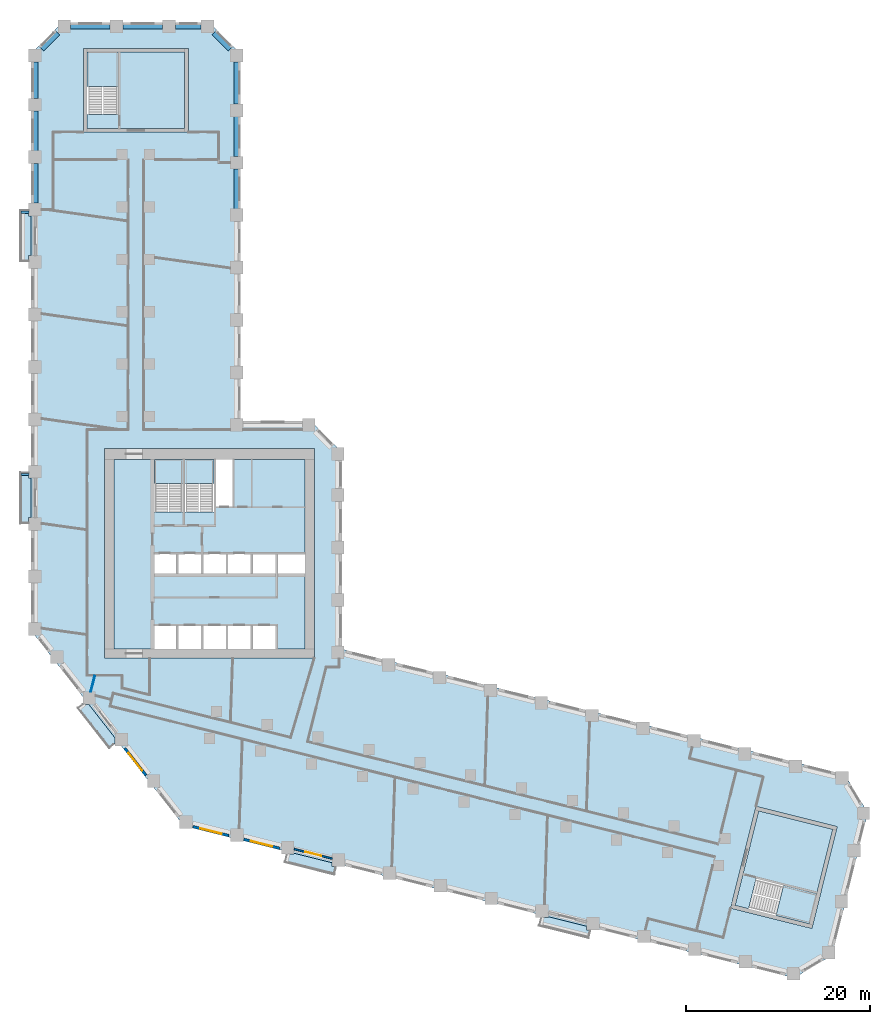
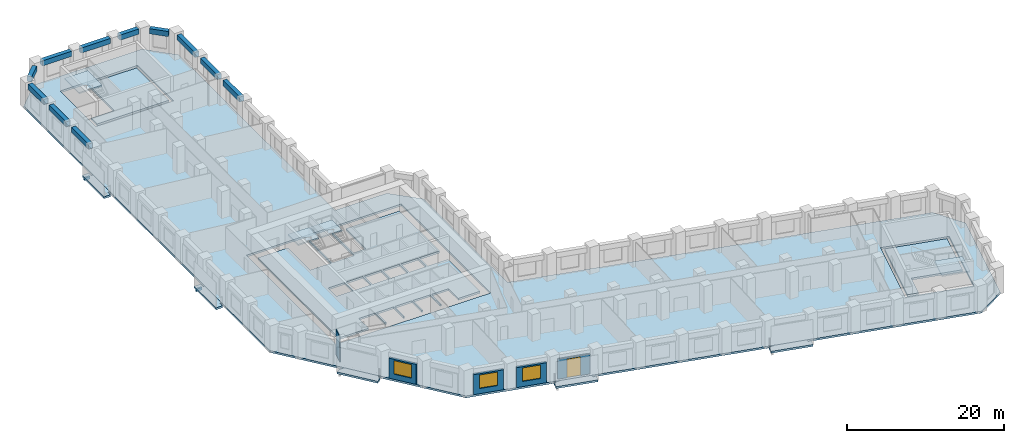
# One storey, part 2 of 11: 13 beams, 13 slabs, 5 walls, 3 windows, 1 door, 4 openings, 4 elements without a shape of their own.
"""IFC4 building model written with IfcOpenShell, lengths in metres."""

from ifc_helpers import new_model, si_unit, direction, frame, frame_2d, origin, origin_2d, place, context, subcontext, project, spatial, polyline, rectangle, outline, extrude, material, layer, layer_set, material_profile, profile_set, type_object, element, fill, aggregate, save


model = new_model("IFC4")

# Units and contexts
model_context = context("Model", 3, precision=1e-05, world=origin(), true_north=direction((0.0, 1.0)))
body_context = subcontext(model_context, "Body", "Model", "MODEL_VIEW")
ifc_project = project(units=[si_unit("LENGTHUNIT", "METRE"), si_unit("AREAUNIT", "SQUARE_METRE"), si_unit("VOLUMEUNIT", "CUBIC_METRE"), si_unit("PLANEANGLEUNIT", "RADIAN"), si_unit("MASSUNIT", "GRAM", prefix="KILO")], contexts=[model_context])

# Site, building, storey
site_placement = place(None, origin())
site = spatial("IfcSite", under=ifc_project, at=site_placement, CompositionType="ELEMENT")
building_placement = place(site_placement, origin())
building = spatial("IfcBuilding", under=site, at=building_placement, Name="Meshkara Civic Tower", CompositionType="ELEMENT")
storey_placement = place(building_placement, frame((0.0, 0.0, 75.0)))
storey = spatial("IfcBuildingStorey", under=building, at=storey_placement, Name="L16", CompositionType="ELEMENT", Elevation=75.0)

# Beams
ifc_material_1 = material(Name="Concrete C50", Category="concrete")
ifc_material_profile_1 = material_profile(ifc_material_1, rectangle(XDim=0.25, YDim=0.39990234375, at=origin_2d()))
ifc_profile_set_1 = profile_set([ifc_material_profile_1], Name="Concrete C50")
beam_type_1 = type_object("IfcBeamType", Name="Balcony bracket beam RC 250x400 C50", PredefinedType="BEAM", material=ifc_profile_set_1)
for number, where, z_axis, x_axis, name in (
    (1, (-0.2451171875, 62.554931640625, -0.5), (-1.0, 0.0, 0.0), (0.0, -1.0, 0.0), "Balcony bracket beam"),
    (2, (-0.2451171875, 34.054931640625, -0.5), (-1.0, 0.0, 0.0), (0.0, -1.0, 0.0), "Balcony bracket beam"),
):
    element("IfcBeam", number, at=place(storey_placement, frame(where, z_axis=z_axis, x_axis=x_axis)), inside=storey, type_object=beam_type_1, Name=name, PredefinedType="BEAM", context=body_context, shape_type="SweptSolid", body=[
        extrude(rectangle(XDim=0.25, YDim=0.39990234375, at=origin_2d()), origin(), (0.0, 0.0, 1.0), 0.85498046875),
    ])
ifc_material_2 = material(Name="Concrete C70", Category="concrete")
ifc_material_profile_2 = material_profile(ifc_material_2, rectangle(XDim=0.60009765625, YDim=0.800048828125, at=origin_2d()))
ifc_profile_set_2 = profile_set([ifc_material_profile_2], Name="Concrete C70")
beam_type_2 = type_object("IfcBeamType", Name="Spandrel beam RC 600x800 C70", PredefinedType="BEAM", material=ifc_profile_set_2)
beam_1_placement = place(storey_placement, frame((22.35009765625, 62.945068359375, 3.5), z_axis=(0.0, 1.0, 0.0), x_axis=(-1.0, 0.0, 0.0)))
element("IfcBeam", 3, at=beam_1_placement, inside=storey, type_object=beam_type_2, Name="Spandrel beam AE04-AE05", PredefinedType="BEAM", context=body_context, shape_type="SweptSolid", body=[
    extrude(rectangle(XDim=0.60009765625, YDim=0.800048828125, at=origin_2d()), origin(), (0.0, 0.0, 1.0), 4.309814453125),
])
beam_2_placement = place(storey_placement, frame((22.35009765625, 68.64501953125, 3.5), z_axis=(0.0, 1.0, 0.0), x_axis=(-1.0, 0.0, 0.0)))
element("IfcBeam", 4, at=beam_2_placement, inside=storey, type_object=beam_type_2, Name="Spandrel beam AE05-AE06", PredefinedType="BEAM", context=body_context, shape_type="SweptSolid", body=[
    extrude(rectangle(XDim=0.60009765625, YDim=0.800048828125, at=origin_2d()), origin(), (0.0, 0.0, 1.0), 4.31005859375),
])
beam_3_placement = place(storey_placement, frame((22.35009765625, 74.344970703125, 3.5), z_axis=(0.0, 1.0, 0.0), x_axis=(-1.0, 0.0, 0.0)))
element("IfcBeam", 5, at=beam_3_placement, inside=storey, type_object=beam_type_2, Name="Spandrel beam AE06-AEE", PredefinedType="BEAM", context=body_context, shape_type="SweptSolid", body=[
    extrude(rectangle(XDim=0.60009765625, YDim=0.800048828125, at=origin_2d()), origin(), (0.0, 0.0, 1.0), 4.573974609375),
])
beam_4_placement = place(storey_placement, frame((21.653564453125, 80.310546875, 3.5), z_axis=(-0.707155737934, 0.70705782105, 0.0), x_axis=(-0.70705782105, -0.707155737934, 0.0)))
element("IfcBeam", 6, at=beam_4_placement, inside=storey, type_object=beam_type_2, Name="Spandrel beam AEE-ATiE", PredefinedType="BEAM", context=body_context, shape_type="SweptSolid", body=[
    extrude(rectangle(XDim=0.60009765625, YDim=0.800048828125, at=origin_2d()), origin(), (0.0, 0.0, 1.0), 2.493408203125),
])
beam_5_placement = place(storey_placement, frame((18.4990234375, 82.77001953125, 3.5), z_axis=(-1.0, 0.0, 0.0), x_axis=(0.0, -1.0, 0.0)))
element("IfcBeam", 7, at=beam_5_placement, inside=storey, type_object=beam_type_2, Name="Spandrel beam AT02-ATiE", PredefinedType="BEAM", context=body_context, shape_type="SweptSolid", body=[
    extrude(rectangle(XDim=0.60009765625, YDim=0.800048828125, at=origin_2d()), origin(), (0.0, 0.0, 1.0), 2.798095703125),
])
for number, where, z_axis, x_axis, name in (
    (8, (14.31103515625, 82.77001953125, 3.5), (-1.0, 0.0, 0.0), (0.0, -1.0, 0.0), "Spandrel beam AT01-AT02"),
    (9, (8.611083984375, 82.77001953125, 3.5), (-1.0, 0.0, 0.0), (0.0, -1.0, 0.0), "Spandrel beam AT00-AT01"),
):
    element("IfcBeam", number, at=place(storey_placement, frame(where, z_axis=z_axis, x_axis=x_axis)), inside=storey, type_object=beam_type_2, Name=name, PredefinedType="BEAM", context=body_context, shape_type="SweptSolid", body=[
        extrude(rectangle(XDim=0.60009765625, YDim=0.800048828125, at=origin_2d()), origin(), (0.0, 0.0, 1.0), 4.31005859375),
    ])
beam_6_placement = place(storey_placement, frame((2.909423828125, 82.073486328125, 3.5), z_axis=(-0.707106781187, -0.707106781187, 0.0), x_axis=(0.707106781187, -0.707106781187, 0.0)))
element("IfcBeam", 10, at=beam_6_placement, inside=storey, type_object=beam_type_2, Name="Spandrel beam AT00-ATo00", PredefinedType="BEAM", context=body_context, shape_type="SweptSolid", body=[
    extrude(rectangle(XDim=0.60009765625, YDim=0.800048828125, at=origin_2d()), origin(), (0.0, 0.0, 1.0), 2.4931640625),
])
beam_7_placement = place(storey_placement, frame((0.449951171875, 78.9189453125, 3.5), z_axis=(0.0, -1.0, 0.0), x_axis=(1.0, 0.0, 0.0)))
element("IfcBeam", 11, at=beam_7_placement, inside=storey, type_object=beam_type_2, Name="Spandrel beam ATo00-AW10", PredefinedType="BEAM", context=body_context, shape_type="SweptSolid", body=[
    extrude(rectangle(XDim=0.60009765625, YDim=0.800048828125, at=origin_2d()), origin(), (0.0, 0.0, 1.0), 3.968994140625),
])
for number, where, z_axis, x_axis, name in (
    (12, (0.449951171875, 73.56005859375, 3.5), (0.0, -1.0, 0.0), (1.0, 0.0, 0.0), "Spandrel beam AW09-AW10"),
    (13, (0.449951171875, 67.860107421875, 3.5), (0.0, -1.0, 0.0), (1.0, 0.0, 0.0), "Spandrel beam AW08-AW09"),
):
    element("IfcBeam", number, at=place(storey_placement, frame(where, z_axis=z_axis, x_axis=x_axis)), inside=storey, type_object=beam_type_2, Name=name, PredefinedType="BEAM", context=body_context, shape_type="SweptSolid", body=[
        extrude(rectangle(XDim=0.60009765625, YDim=0.800048828125, at=origin_2d()), origin(), (0.0, 0.0, 1.0), 4.31005859375),
    ])

# Slabs
ifc_material_3 = material(Name="Concrete C40", Category="concrete")
ifc_layer_1 = layer(ifc_material_3, 0.300048828125)
ifc_layer_set_1 = layer_set([ifc_layer_1], Name="BALCONY SLAB")
slab_type_1 = type_object("IfcSlabType", Name="BALCONY SLAB", PredefinedType="FLOOR", material=ifc_layer_set_1)
slab_1_placement = place(storey_placement, frame((0.0, 0.0, -0.300048828125)))
element("IfcSlab", 14, at=slab_1_placement, inside=storey, type_object=slab_type_1, Name="Balcony slab", PredefinedType="FLOOR", context=body_context, shape_type="SweptSolid", body=[
    extrude(outline(polyline([(-1.199951171875, 57.215087890625), (-1.199951171875, 62.794921875), (-0.25, 62.794921875), (-0.25, 62.155029296875), (0.0, 62.155029296875), (0.0, 57.85498046875), (-0.25, 57.85498046875), (-0.25, 57.215087890625), (-1.199951171875, 57.215087890625)])), origin(), (0.0, 0.0, 1.0), 0.300048828125),
])
slab_2_placement = place(storey_placement, frame((0.0, 0.0, -0.300048828125)))
element("IfcSlab", 15, at=slab_2_placement, inside=storey, type_object=slab_type_1, Name="Balcony slab", PredefinedType="FLOOR", context=body_context, shape_type="SweptSolid", body=[
    extrude(outline(polyline([(-1.199951171875, 28.715087890625), (-1.199951171875, 34.294921875), (-0.25, 34.294921875), (-0.25, 33.655029296875), (0.0, 33.655029296875), (0.0, 29.35498046875), (-0.25, 29.35498046875), (-0.25, 28.715087890625), (-1.199951171875, 28.715087890625)])), origin(), (0.0, 0.0, 1.0), 0.300048828125),
])
slab_3_placement = place(storey_placement, frame((0.0, 0.0, -0.300048828125)))
element("IfcSlab", 16, at=slab_3_placement, inside=storey, type_object=slab_type_1, Name="Balcony slab", PredefinedType="FLOOR", context=body_context, shape_type="SweptSolid", body=[
    extrude(outline(polyline([(8.49609375, 4.27587890625), (5.06005859375, 8.674072265625), (5.623046875, 9.114013671875), (5.623046875, 9.037109375), (6.299072265625, 9.037109375), (9.133056640625, 5.409912109375), (9.133056640625, 4.77392578125), (8.49609375, 4.27587890625)])), origin(), (0.0, 0.0, 1.0), 0.300048828125),
])
slab_4_placement = place(storey_placement, frame((0.0, 0.0, -0.300048828125)))
element("IfcSlab", 17, at=slab_4_placement, inside=storey, type_object=slab_type_1, Name="Balcony slab", PredefinedType="FLOOR", context=body_context, shape_type="SweptSolid", body=[
    extrude(outline(polyline([(32.986083984375, -9.4609375), (27.571044921875, -8.111083984375), (27.799072265625, -7.196044921875), (28.612060546875, -7.196044921875), (28.612060546875, -7.134033203125), (32.742919921875, -8.1640625), (32.742919921875, -8.574951171875), (33.20703125, -8.574951171875), (32.986083984375, -9.4609375)])), origin(), (0.0, 0.0, 1.0), 0.300048828125),
])
slab_5_placement = place(storey_placement, frame((0.0, 0.0, -0.300048828125)))
element("IfcSlab", 18, at=slab_5_placement, inside=storey, type_object=slab_type_1, Name="Balcony slab", PredefinedType="FLOOR", context=body_context, shape_type="SweptSolid", body=[
    extrude(outline(polyline([(60.639892578125, -16.35595703125), (55.22509765625, -15.006103515625), (55.452880859375, -14.090087890625), (56.26611328125, -14.090087890625), (56.26611328125, -14.029052734375), (60.39697265625, -15.05908203125), (60.39697265625, -15.468994140625), (60.861083984375, -15.468994140625), (60.639892578125, -16.35595703125)])), origin(), (0.0, 0.0, 1.0), 0.300048828125),
])
ifc_material_4 = material(Name="Concrete C40/50", Category="concrete")
ifc_layer_2 = layer(ifc_material_4, 0.300048828125)
ifc_layer_set_2 = layer_set([ifc_layer_2], Name="Core floor slab 300 C40/50")
slab_type_2 = type_object("IfcSlabType", Name="Core floor slab 300 C40/50", PredefinedType="FLOOR", material=ifc_layer_set_2)
slab_6_placement = place(storey_placement, frame((0.0, 0.0, -0.300048828125)))
element("IfcSlab", 19, at=slab_6_placement, inside=storey, type_object=slab_type_2, Name="Core floor K", PredefinedType="FLOOR", context=body_context, shape_type="SweptSolid", body=[
    extrude(outline(polyline([(9.0, 35.699951171875), (13.39990234375, 35.699951171875), (13.39990234375, 30.00146484375), (16.5, 30.00146484375), (16.5, 35.699951171875), (16.699951171875, 35.699951171875), (16.699951171875, 30.00146484375), (19.89990234375, 30.00146484375), (19.89990234375, 35.699951171875), (20.10009765625, 35.699951171875), (20.10009765625, 30.574951171875), (21.925048828125, 30.574951171875), (21.925048828125, 35.699951171875), (29.800048828125, 35.699951171875), (29.800048828125, 25.39990234375), (26.800048828125, 25.39990234375), (26.800048828125, 23.300048828125), (29.800048828125, 23.300048828125), (29.800048828125, 15.10009765625), (26.60009765625, 15.10009765625), (26.60009765625, 17.60009765625), (24.10009765625, 17.60009765625), (24.10009765625, 15.10009765625), (23.89990234375, 15.10009765625), (23.89990234375, 17.60009765625), (21.39990234375, 17.60009765625), (21.39990234375, 15.10009765625), (21.199951171875, 15.10009765625), (21.199951171875, 17.60009765625), (18.699951171875, 17.60009765625), (18.699951171875, 15.10009765625), (18.5, 15.10009765625), (18.5, 17.60009765625), (16.0, 17.60009765625), (16.0, 15.10009765625), (15.800048828125, 15.10009765625), (15.800048828125, 17.60009765625), (13.39990234375, 17.60009765625), (13.39990234375, 15.10009765625), (9.0, 15.10009765625), (9.0, 35.699951171875)]), holes=[polyline([(13.39990234375, 25.39990234375), (13.39990234375, 23.300048828125), (15.800048828125, 23.300048828125), (15.800048828125, 25.39990234375), (13.39990234375, 25.39990234375)]), polyline([(18.5, 23.300048828125), (18.5, 25.39990234375), (16.0, 25.39990234375), (16.0, 23.300048828125), (18.5, 23.300048828125)]), polyline([(18.699951171875, 25.39990234375), (18.699951171875, 23.300048828125), (21.199951171875, 23.300048828125), (21.199951171875, 25.39990234375), (18.699951171875, 25.39990234375)]), polyline([(23.89990234375, 23.300048828125), (23.89990234375, 25.39990234375), (21.39990234375, 25.39990234375), (21.39990234375, 23.300048828125), (23.89990234375, 23.300048828125)]), polyline([(26.60009765625, 23.300048828125), (26.60009765625, 25.39990234375), (24.10009765625, 25.39990234375), (24.10009765625, 23.300048828125), (26.60009765625, 23.300048828125)])]), origin(), (0.0, 0.0, 1.0), 0.300048828125),
])
slab_7_placement = place(storey_placement, frame((0.0, 0.0, -0.300048828125)))
element("IfcSlab", 20, at=slab_7_placement, inside=storey, type_object=slab_type_2, Name="Core floor EA", PredefinedType="FLOOR", context=body_context, shape_type="SweptSolid", body=[
    extrude(outline(polyline([(16.699951171875, 71.669921875), (16.699951171875, 79.969970703125), (9.5, 79.969970703125), (9.5, 73.17138671875), (6.10009765625, 73.17138671875), (6.10009765625, 71.669921875), (16.699951171875, 71.669921875)])), origin(), (0.0, 0.0, 1.0), 0.300048828125),
])
slab_8_placement = place(storey_placement, frame((0.0, 0.0, -0.300048828125)))
element("IfcSlab", 21, at=slab_8_placement, inside=storey, type_object=slab_type_2, Name="Core floor EB", PredefinedType="FLOOR", context=body_context, shape_type="SweptSolid", body=[
    extrude(outline(polyline([(79.11181640625, -2.513671875), (87.165283203125, -4.521484375), (85.423583984375, -11.507568359375), (78.826904296875, -9.863037109375), (78.00439453125, -13.161865234375), (76.547607421875, -12.798583984375), (79.11181640625, -2.513671875)])), origin(), (0.0, 0.0, 1.0), 0.300048828125),
])

# Stair, slab
ifc_material_5 = material(Name="Precast concrete C40/50", Category="concrete")
stair_type_1 = type_object("IfcStairType", Name="Exit stair half-turn 24 risers precast", PredefinedType="HALF_TURN_STAIR", material=ifc_material_5)
stair_1_placement = place(storey_placement, origin())
stair_1 = element("IfcStair", 22, at=stair_1_placement, inside=storey, type_object=stair_type_1, Name="L16 exit stair 1", PredefinedType="HALF_TURN_STAIR")
ifc_material_6 = material(Name="Precast concrete C40/50", Category="concrete")
ifc_layer_3 = layer(ifc_material_6, 0.199951171875)
ifc_layer_set_3 = layer_set([ifc_layer_3], Name="Exit stair landing 200")
slab_type_3 = type_object("IfcSlabType", Name="Exit stair landing 200", PredefinedType="LANDING", material=ifc_layer_set_3)
slab_9_placement = place(storey_placement, frame((0.0, 0.0, 1.89990234375)))
slab_9 = element("IfcSlab", 23, at=slab_9_placement, type_object=slab_type_3, Name="ST1 landing 1", PredefinedType="LANDING", context=body_context, shape_type="SweptSolid", body=[
    extrude(outline(polyline([(16.5, 33.07861328125), (16.5, 35.699951171875), (13.39990234375, 35.699951171875), (13.39990234375, 33.07861328125), (16.5, 33.07861328125)])), origin(), (0.0, 0.0, 1.0), 0.2001953125),
])
aggregate(stair_1, [slab_9])

stair_2_placement = place(storey_placement, origin())
stair_2 = element("IfcStair", 24, at=stair_2_placement, inside=storey, type_object=stair_type_1, Name="L16 exit stair 2", PredefinedType="HALF_TURN_STAIR")
slab_10_placement = place(storey_placement, frame((0.0, 0.0, 1.89990234375)))
slab_10 = element("IfcSlab", 25, at=slab_10_placement, type_object=slab_type_3, Name="ST2 landing 1", PredefinedType="LANDING", context=body_context, shape_type="SweptSolid", body=[
    extrude(outline(polyline([(19.89990234375, 33.07861328125), (19.89990234375, 35.699951171875), (16.699951171875, 35.699951171875), (16.699951171875, 33.07861328125), (19.89990234375, 33.07861328125)])), origin(), (0.0, 0.0, 1.0), 0.2001953125),
])
aggregate(stair_2, [slab_10])

ifc_material_7 = material(Name="Precast concrete C40/50", Category="concrete")
stair_type_2 = type_object("IfcStairType", Name="Exit stair half-turn 24 risers 1500 precast", PredefinedType="HALF_TURN_STAIR", material=ifc_material_7)
stair_3_placement = place(storey_placement, origin())
stair_3 = element("IfcStair", 26, at=stair_3_placement, inside=storey, type_object=stair_type_2, Name="L16 exit stair A from B2", PredefinedType="HALF_TURN_STAIR")
slab_11_placement = place(storey_placement, frame((0.0, 0.0, 1.89990234375)))
slab_11 = element("IfcSlab", 27, at=slab_11_placement, type_object=slab_type_3, Name="ESA1 landing 1", PredefinedType="LANDING", context=body_context, shape_type="SweptSolid", body=[
    extrude(outline(polyline([(9.5, 76.24853515625), (9.5, 79.969970703125), (6.10009765625, 79.969970703125), (6.10009765625, 76.24853515625), (9.5, 76.24853515625)])), origin(), (0.0, 0.0, 1.0), 0.2001953125),
])
aggregate(stair_3, [slab_11])

stair_4_placement = place(storey_placement, origin())
stair_4 = element("IfcStair", 28, at=stair_4_placement, inside=storey, type_object=stair_type_2, Name="L16 exit stair B from B2", PredefinedType="HALF_TURN_STAIR")
slab_12_placement = place(storey_placement, frame((0.0, 0.0, 1.89990234375)))
slab_12 = element("IfcSlab", 29, at=slab_12_placement, type_object=slab_type_3, Name="ESB1 landing 1", PredefinedType="LANDING", context=body_context, shape_type="SweptSolid", body=[
    extrude(outline(polyline([(80.98974609375, -13.9072265625), (84.600830078125, -14.80810546875), (85.424072265625, -11.50830078125), (81.81298828125, -10.607421875), (80.98974609375, -13.9072265625)])), origin(), (0.0, 0.0, 1.0), 0.2001953125),
])
aggregate(stair_4, [slab_12])

# Slab
ifc_material_8 = material(Name="Concrete C50", Category="concrete")
ifc_layer_4 = layer(ifc_material_8, 0.300048828125)
ifc_layer_set_4 = layer_set([ifc_layer_4], Name="Post-tensioned flat slab 300 C50")
slab_type_4 = type_object("IfcSlabType", Name="Post-tensioned flat slab 300 C50", PredefinedType="FLOOR", material=ifc_layer_set_4)
slab_13_placement = place(storey_placement, frame((0.0, 0.0, -0.300048828125)))
element("IfcSlab", 30, at=slab_13_placement, inside=storey, type_object=slab_type_4, Name="Post-tensioned flat slab L16", PredefinedType="FLOOR", context=body_context, shape_type="SweptSolid", body=[
    extrude(outline(polyline([(87.10595703125, -18.193115234375), (82.9599609375, -20.68408203125), (16.592041015625, -4.136962890625), (0.0, 17.10009765625), (0.0, 79.800048828125), (3.419921875, 83.219970703125), (19.3798828125, 83.219970703125), (22.800048828125, 79.800048828125), (22.800048828125, 39.89990234375), (30.3798828125, 39.89990234375), (33.800048828125, 36.47998046875), (33.800048828125, 15.071044921875), (88.47607421875, 1.43798828125), (90.967041015625, -2.70703125), (87.10595703125, -18.193115234375)]), holes=[polyline([(84.89208984375, -15.2919921875), (87.64990234375, -4.22998046875), (78.821044921875, -2.029052734375), (76.06298828125, -13.090087890625), (84.89208984375, -15.2919921875)]), polyline([(8.0, 14.10009765625), (30.800048828125, 14.10009765625), (30.800048828125, 36.89990234375), (8.0, 36.89990234375), (8.0, 14.10009765625)]), polyline([(5.699951171875, 80.3701171875), (5.699951171875, 71.27001953125), (17.10009765625, 71.27001953125), (17.10009765625, 80.3701171875), (5.699951171875, 80.3701171875)])]), origin(), (0.0, 0.0, 1.0), 0.300048828125),
])

# Wall, opening, window
ifc_material_9 = material(Name="Insulated infill panel with bronze anodised aluminium cladding", Category="aluminium")
ifc_layer_5 = layer(ifc_material_9, 0.300048828125)
ifc_layer_set_5 = layer_set([ifc_layer_5], Name="EXTERNAL INFILL WALL 300")
wall_type_1 = type_object("IfcWallType", Name="EXTERNAL INFILL WALL 300", PredefinedType="SOLIDWALL", material=ifc_layer_set_5)
wall_1_placement = place(storey_placement, frame((10.201904296875, 4.285888671875, 0.0), z_axis=(0.0, 0.0, 1.0), x_axis=(0.615636430057, -0.788030320474, 0.0)))
wall_1 = element("IfcWall", 31, at=wall_1_placement, inside=storey, type_object=wall_type_1, Name="External wall", PredefinedType="SOLIDWALL", context=body_context, shape_type="SweptSolid", body=[
    extrude(rectangle(XDim=3.734375, YDim=0.300048828125, at=frame_2d((1.8671875, 0.0))), origin(), (0.0, 0.0, 1.0), 3.10009765625),
])
opening_1_placement = place(wall_1_placement, frame((0.6669921875, 0.0, 0.800048828125)))
opening_1 = element("IfcOpeningElement", 32, at=opening_1_placement, cuts=wall_1, Name="Opening W7", PredefinedType="OPENING", context=body_context, shape_type="SweptSolid", body=[
    extrude(rectangle(XDim=2.39990234375, YDim=2.10009765625, at=frame_2d((1.199951171875, 1.050048828125))), frame((0.0, 0.159912109375, 0.0), z_axis=(0.0, -1.0, 0.0), x_axis=(1.0, 0.0, 0.0)), (0.0, 0.0, 1.0), 0.320068359375),
])
ifc_material_10 = material(Name="Tinted double glazing", Category="glass")
window_type = type_object("IfcWindowType", Name="WINDOW 2400x2100", PartitioningType="DOUBLE_PANEL_VERTICAL", PredefinedType="WINDOW", material=ifc_material_10)
window_1_placement = place(opening_1_placement, origin())
window_1 = element("IfcWindow", 33, at=window_1_placement, inside=storey, type_object=window_type, Name="Window", OverallHeight=2.10009765625, OverallWidth=2.39990234375, PartitioningType="DOUBLE_PANEL_VERTICAL", PredefinedType="WINDOW", context=body_context, shape_type="SweptSolid", body=[
    extrude(rectangle(XDim=2.39990234375, YDim=2.10009765625, at=frame_2d((1.199951171875, 1.050048828125))), frame((0.0, 0.030029296875, 0.0), z_axis=(0.0, -1.0, 0.0), x_axis=(1.0, 0.0, 0.0)), (0.0, 0.0, 1.0), 0.06005859375),
])
fill(opening_1, window_1)

wall_2_placement = place(storey_placement, frame((17.60205078125, -4.23388671875, 0.0), z_axis=(0.0, 0.0, 1.0), x_axis=(0.970260773365, -0.242062040951, 0.0)))
wall_2 = element("IfcWall", 34, at=wall_2_placement, inside=storey, type_object=wall_type_1, Name="External wall", PredefinedType="SOLIDWALL", context=body_context, shape_type="SweptSolid", body=[
    extrude(rectangle(XDim=4.003173828125, YDim=0.300048828125, at=frame_2d((2.00146484375, 0.0))), origin(), (0.0, 0.0, 1.0), 3.10009765625),
])
opening_2_placement = place(wall_2_placement, frame((0.802001953125, 0.0, 0.800048828125)))
opening_2 = element("IfcOpeningElement", 35, at=opening_2_placement, cuts=wall_2, Name="Opening W7", PredefinedType="OPENING", context=body_context, shape_type="SweptSolid", body=[
    extrude(rectangle(XDim=2.39990234375, YDim=2.10009765625, at=frame_2d((1.199951171875, 1.050048828125))), frame((0.0, 0.159912109375, 0.0), z_axis=(0.0, -1.0, 0.0), x_axis=(1.0, 0.0, 0.0)), (0.0, 0.0, 1.0), 0.320068359375),
])
window_2_placement = place(opening_2_placement, origin())
window_2 = element("IfcWindow", 36, at=window_2_placement, inside=storey, type_object=window_type, Name="Window", OverallHeight=2.10009765625, OverallWidth=2.39990234375, PartitioningType="DOUBLE_PANEL_VERTICAL", PredefinedType="WINDOW", context=body_context, shape_type="SweptSolid", body=[
    extrude(rectangle(XDim=2.39990234375, YDim=2.10009765625, at=frame_2d((1.199951171875, 1.050048828125))), frame((0.0, 0.030029296875, 0.0), z_axis=(0.0, -1.0, 0.0), x_axis=(1.0, 0.0, 0.0)), (0.0, 0.0, 1.0), 0.06005859375),
])
fill(opening_2, window_2)

wall_3_placement = place(storey_placement, frame((23.133056640625, -5.613037109375, 0.0), z_axis=(0.0, 0.0, 1.0), x_axis=(0.970303772127, -0.241889623168, 0.0)))
wall_3 = element("IfcWall", 37, at=wall_3_placement, inside=storey, type_object=wall_type_1, Name="External wall", PredefinedType="SOLIDWALL", context=body_context, shape_type="SweptSolid", body=[
    extrude(rectangle(XDim=4.001953125, YDim=0.300048828125, at=frame_2d((2.0009765625, 0.0))), origin(), (0.0, 0.0, 1.0), 3.10009765625),
])
opening_3_placement = place(wall_3_placement, frame((0.801025390625, 0.0, 0.800048828125)))
opening_3 = element("IfcOpeningElement", 38, at=opening_3_placement, cuts=wall_3, Name="Opening W7", PredefinedType="OPENING", context=body_context, shape_type="SweptSolid", body=[
    extrude(rectangle(XDim=2.39990234375, YDim=2.10009765625, at=frame_2d((1.199951171875, 1.050048828125))), frame((0.0, 0.159912109375, 0.0), z_axis=(0.0, -1.0, 0.0), x_axis=(1.0, 0.0, 0.0)), (0.0, 0.0, 1.0), 0.320068359375),
])
window_3_placement = place(opening_3_placement, origin())
window_3 = element("IfcWindow", 39, at=window_3_placement, inside=storey, type_object=window_type, Name="Window", OverallHeight=2.10009765625, OverallWidth=2.39990234375, PartitioningType="DOUBLE_PANEL_VERTICAL", PredefinedType="WINDOW", context=body_context, shape_type="SweptSolid", body=[
    extrude(rectangle(XDim=2.39990234375, YDim=2.10009765625, at=frame_2d((1.199951171875, 1.050048828125))), frame((0.0, 0.030029296875, 0.0), z_axis=(0.0, -1.0, 0.0), x_axis=(1.0, 0.0, 0.0)), (0.0, 0.0, 1.0), 0.06005859375),
])
fill(opening_3, window_3)

# Wall, opening, door
ifc_material_11 = material(Name="Insulated infill panel with bronze anodised aluminium cladding", Category="aluminium")
ifc_layer_6 = layer(ifc_material_11, 0.199951171875)
ifc_layer_set_6 = layer_set([ifc_layer_6], Name="LOGGIA BACK WALL 200")
wall_type_2 = type_object("IfcWallType", Name="LOGGIA BACK WALL 200", PredefinedType="SOLIDWALL", material=ifc_layer_set_6)
wall_4_placement = place(storey_placement, frame((28.612060546875, -6.669921875, 0.0), z_axis=(0.0, 0.0, 1.0), x_axis=(0.970290742877, -0.241941882045, 0.0)))
wall_4 = element("IfcWall", 40, at=wall_4_placement, inside=storey, type_object=wall_type_2, Name="Loggia wall", PredefinedType="SOLIDWALL", context=body_context, shape_type="SweptSolid", body=[
    extrude(rectangle(XDim=4.25732421875, YDim=0.199951171875, at=frame_2d((2.128662109375, 0.0))), origin(), (0.0, 0.0, 1.0), 3.10009765625),
])
opening_4_placement = place(wall_4_placement, frame((1.22802734375, 0.0, 0.0)))
opening_4 = element("IfcOpeningElement", 41, at=opening_4_placement, cuts=wall_4, Name="Opening L16-L004", PredefinedType="OPENING", context=body_context, shape_type="SweptSolid", body=[
    extrude(rectangle(XDim=1.800048828125, YDim=2.89990234375, at=frame_2d((0.89990234375, 1.449951171875))), frame((0.0, 0.10986328125, 0.0), z_axis=(0.0, -1.0, 0.0), x_axis=(1.0, 0.0, 0.0)), (0.0, 0.0, 1.0), 0.219970703125),
])
ifc_material_12 = material(Name="Tinted double glazing", Category="glass")
door_type = type_object("IfcDoorType", Name="LOGGIA DOOR 1800x2900", OperationType="DOUBLE_DOOR_SINGLE_SWING", PredefinedType="DOOR", material=ifc_material_12)
door_placement = place(opening_4_placement, origin())
door = element("IfcDoor", 42, at=door_placement, inside=storey, type_object=door_type, Name="L16-L004", OperationType="DOUBLE_DOOR_SINGLE_SWING", OverallHeight=2.89990234375, OverallWidth=1.800048828125, PredefinedType="DOOR", context=body_context, shape_type="SweptSolid", body=[
    extrude(rectangle(XDim=1.800048828125, YDim=2.89990234375, at=frame_2d((0.89990234375, 1.449951171875))), frame((0.0, 0.02490234375, 0.0), z_axis=(0.0, -1.0, 0.0), x_axis=(1.0, 0.0, 0.0)), (0.0, 0.0, 1.0), 0.050048828125),
])
fill(opening_4, door)

# Wall
ifc_material_13 = material(Name="Partition 100")
ifc_layer_7 = layer(ifc_material_13, 0.10009765625)
ifc_layer_set_7 = layer_set([ifc_layer_7], Name="Partition 100")
wall_type_3 = type_object("IfcWallType", Name="Partition 100", PredefinedType="PARTITIONING", material=ifc_layer_set_7)
wall_5_placement = place(storey_placement, frame((6.922119140625, 12.137939453125, 0.0), z_axis=(0.0, 0.0, 1.0), x_axis=(-0.242437328426, -0.970167069007, 0.0)))
element("IfcWall", 43, at=wall_5_placement, inside=storey, type_object=wall_type_3, Name="L16-W037", PredefinedType="PARTITIONING", context=body_context, shape_type="SweptSolid", body=[
    extrude(rectangle(XDim=1.753173828125, YDim=0.10009765625, at=frame_2d((0.87646484375, 0.0))), origin(), (0.0, 0.0, 1.0), 3.89990234375),
])

save(model, "model.ifc")
